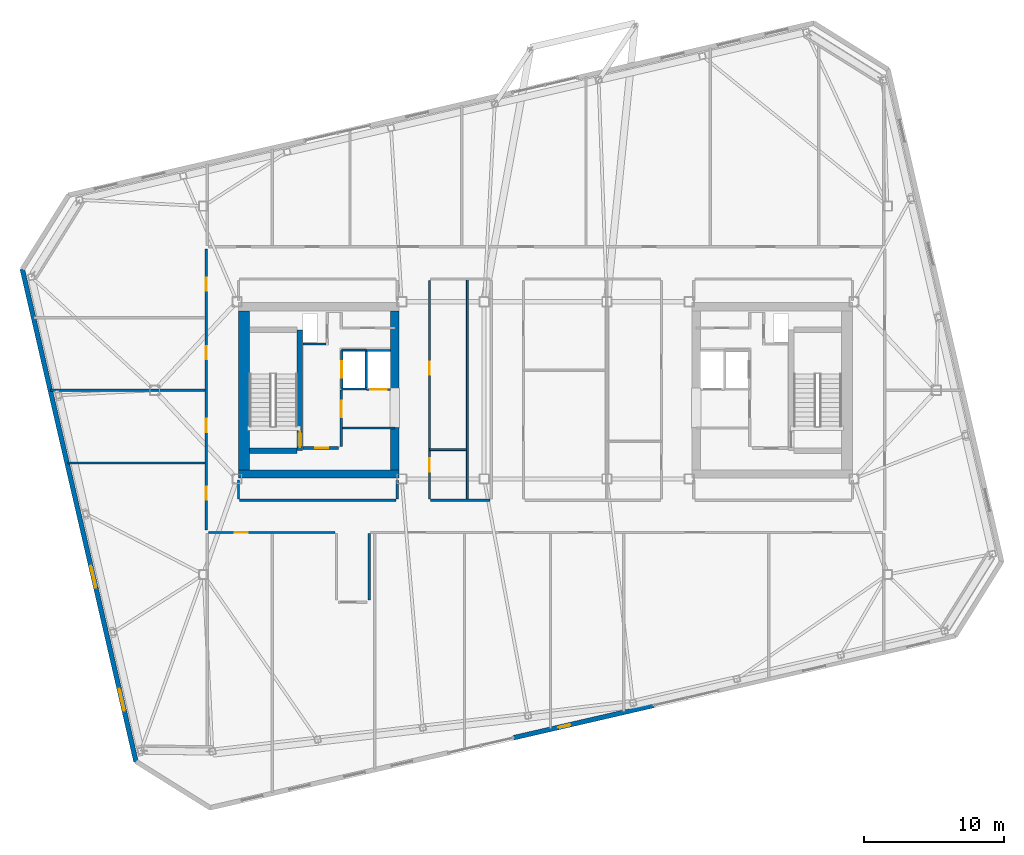
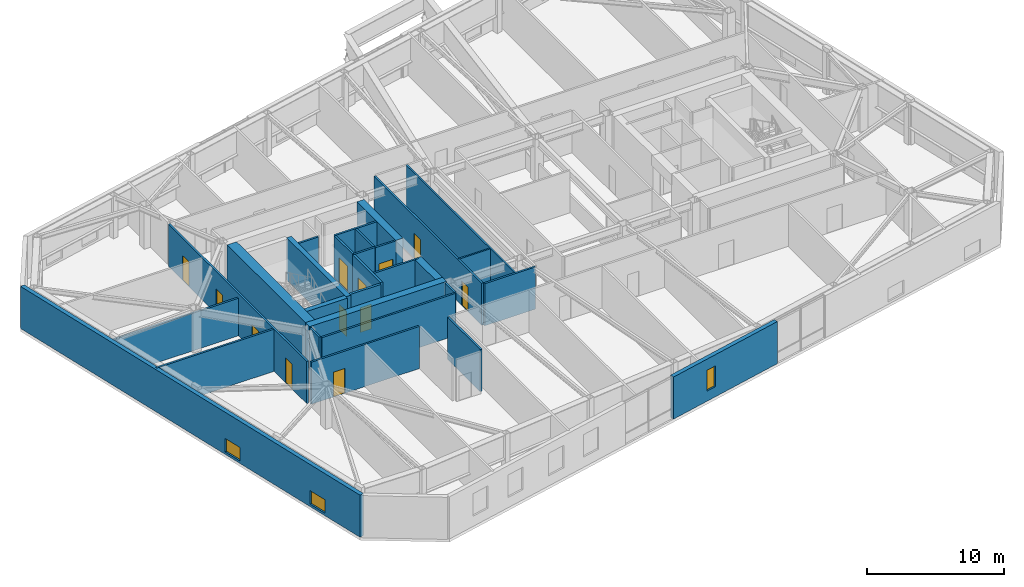
# One storey, part 16 of 23: 30 walls, 12 doors, 3 windows, 15 openings.
"""IFC4 building model written with IfcOpenShell, lengths in metres."""

from ifc_helpers import new_model, si_unit, direction, frame, frame_2d, origin, place, context, subcontext, project, spatial, rectangle, extrude, material, layer, layer_set, type_object, element, fill, save


model = new_model("IFC4")

# Units and contexts
model_context = context("Model", 3, precision=1e-05, world=origin(), true_north=direction((0.0, 1.0)))
body_context = subcontext(model_context, "Body", "Model", "MODEL_VIEW")
ifc_project = project(units=[si_unit("LENGTHUNIT", "METRE"), si_unit("AREAUNIT", "SQUARE_METRE"), si_unit("VOLUMEUNIT", "CUBIC_METRE"), si_unit("PLANEANGLEUNIT", "RADIAN"), si_unit("MASSUNIT", "GRAM", prefix="KILO")], contexts=[model_context])

# Site, building, storey
site_placement = place(None, origin())
site = spatial("IfcSite", under=ifc_project, at=site_placement, CompositionType="ELEMENT")
building_placement = place(site_placement, origin())
building = spatial("IfcBuilding", under=site, at=building_placement, Name="Tavrogorsk Clinical Tower", CompositionType="ELEMENT")
storey_placement = place(building_placement, frame((0.0, 0.0, 305.0)))
storey = spatial("IfcBuildingStorey", under=building, at=storey_placement, Name="L71", CompositionType="ELEMENT", Elevation=305.0)

# Wall, opening, door
ifc_material_1 = material(Name="Concrete B60", Category="concrete")
ifc_layer_1 = layer(ifc_material_1, 0.199951171875)
ifc_layer_set_1 = layer_set([ifc_layer_1], Name="Concrete B60")
wall_type_1 = type_object("IfcWallType", Name="CoreFireWall_200", PredefinedType="SOLIDWALL", material=ifc_layer_set_1)
wall_1_placement = place(storey_placement, frame((-17.3798828125, -4.139892578125, 0.0), z_axis=(0.0, 0.0, 1.0), x_axis=(1.0, 0.0, 0.0)))
wall_1 = element("IfcWall", 1, at=wall_1_placement, inside=storey, type_object=wall_type_1, Name="L71 Core West South Core Room Fire Wall", PredefinedType="SOLIDWALL", context=body_context, shape_type="SweptSolid", body=[
    extrude(rectangle(XDim=2.554931640625, YDim=0.199951171875, at=frame_2d((1.27734375, 0.0))), origin(), (0.0, 0.0, 1.0), 3.739990234375),
])
opening_1_placement = place(wall_1_placement, frame((0.8798828125, 0.0, 0.0)))
opening_1 = element("IfcOpeningElement", 2, at=opening_1_placement, cuts=wall_1, Name="Opening ID-02", PredefinedType="OPENING", context=body_context, shape_type="SweptSolid", body=[
    extrude(rectangle(XDim=0.949951171875, YDim=2.199951171875, at=frame_2d((0.47509765625, 1.10009765625))), frame((0.0, 0.10986328125, 0.0), z_axis=(0.0, -1.0, 0.0), x_axis=(1.0, 0.0, 0.0)), (0.0, 0.0, 1.0), 0.219970703125),
])
ifc_material_2 = material(Name="Laminated timber leaf on aluminium frame", Category="wood")
door_type_1 = type_object("IfcDoorType", Name="InteriorDoor_ID02_950", OperationType="NOTDEFINED", PredefinedType="DOOR", material=ifc_material_2)
door_1_placement = place(opening_1_placement, origin())
door_1 = element("IfcDoor", 3, at=door_1_placement, inside=storey, type_object=door_type_1, Name="L71 Core West South Core Room Door", OperationType="SINGLE_SWING_RIGHT", OverallHeight=2.199951171875, OverallWidth=0.949951171875, PredefinedType="DOOR", context=body_context, shape_type="SweptSolid", body=[
    extrude(rectangle(XDim=0.949951171875, YDim=2.199951171875, at=frame_2d((0.47509765625, 1.10009765625))), frame((0.0, 0.02490234375, 0.0), z_axis=(0.0, -1.0, 0.0), x_axis=(1.0, 0.0, 0.0)), (0.0, 0.0, 1.0), 0.050048828125),
])
fill(opening_1, door_1)

wall_2_placement = place(storey_placement, frame((-14.639892578125, -4.034912109375, 0.0), z_axis=(0.0, 0.0, 1.0), x_axis=(0.0, 1.0, 0.0)))
wall_2 = element("IfcWall", 4, at=wall_2_placement, inside=storey, type_object=wall_type_1, Name="L71 Core West Firefighting Lobby Fire Wall", PredefinedType="SOLIDWALL", context=body_context, shape_type="SweptSolid", body=[
    extrude(rectangle(XDim=4.074951171875, YDim=0.199951171875, at=frame_2d((2.03759765625, 0.0))), origin(), (0.0, 0.0, 1.0), 3.739990234375),
])
opening_2_placement = place(wall_2_placement, frame((2.090087890625, 0.0, 0.0)))
opening_2 = element("IfcOpeningElement", 5, at=opening_2_placement, cuts=wall_2, Name="Opening FD-01", PredefinedType="OPENING", context=body_context, shape_type="SweptSolid", body=[
    extrude(rectangle(XDim=1.199951171875, YDim=2.199951171875, at=frame_2d((0.60009765625, 1.10009765625))), frame((0.0, 0.10986328125, 0.0), z_axis=(0.0, -1.0, 0.0), x_axis=(1.0, 0.0, 0.0)), (0.0, 0.0, 1.0), 0.219970703125),
])
ifc_material_3 = material(Name="Galvanised steel fire-rated door assembly", Category="steel")
door_type_2 = type_object("IfcDoorType", Name="FireDoor_FD01_1200", OperationType="NOTDEFINED", PredefinedType="DOOR", material=ifc_material_3)
door_2_placement = place(opening_2_placement, origin())
door_2 = element("IfcDoor", 6, at=door_2_placement, inside=storey, type_object=door_type_2, Name="L71 Core West Firefighting Lobby Entry Door", OperationType="SINGLE_SWING_RIGHT", OverallHeight=2.199951171875, OverallWidth=1.199951171875, PredefinedType="DOOR", context=body_context, shape_type="SweptSolid", body=[
    extrude(rectangle(XDim=1.199951171875, YDim=2.199951171875, at=frame_2d((0.60009765625, 1.10009765625))), frame((0.0, 0.02490234375, 0.0), z_axis=(0.0, -1.0, 0.0), x_axis=(1.0, 0.0, 0.0)), (0.0, 0.0, 1.0), 0.050048828125),
])
fill(opening_2, door_2)

# Walls
ifc_material_4 = material(Name="Lightweight concrete blockwork B15", Category="masonry")
ifc_layer_2 = layer(ifc_material_4, 0.139892578125)
ifc_layer_set_2 = layer_set([ifc_layer_2], Name="Lightweight concrete blockwork B15")
wall_type_2 = type_object("IfcWallType", Name="PartitionWall_140", PredefinedType="PARTITIONING", material=ifc_layer_set_2)
wall_3_placement = place(storey_placement, frame((-5.60009765625, -7.864990234375, 0.0), z_axis=(0.0, 0.0, 1.0), x_axis=(0.0, 1.0, 0.0)))
element("IfcWall", 7, at=wall_3_placement, inside=storey, type_object=wall_type_2, Name="L71 Central Spine Partition 1", PredefinedType="PARTITIONING", context=body_context, shape_type="SweptSolid", body=[
    extrude(rectangle(XDim=15.830078125, YDim=0.139892578125, at=frame_2d((7.9150390625, 0.0))), origin(), (0.0, 0.0, 1.0), 3.739990234375),
])
wall_4_placement = place(storey_placement, frame((-8.31494140625, -4.25, 0.0), z_axis=(0.0, 0.0, 1.0), x_axis=(1.0, 0.0, 0.0)))
element("IfcWall", 8, at=wall_4_placement, inside=storey, type_object=wall_type_2, Name="L71 Central Spine Partition 4", PredefinedType="PARTITIONING", context=body_context, shape_type="SweptSolid", body=[
    extrude(rectangle(XDim=2.639892578125, YDim=0.139892578125, at=frame_2d((1.31982421875, 0.0))), origin(), (0.0, 0.0, 1.0), 3.739990234375),
])
ifc_material_5 = material(Name="Lightweight concrete blockwork B15", Category="masonry")
ifc_layer_3 = layer(ifc_material_5, 0.159912109375)
ifc_layer_set_3 = layer_set([ifc_layer_3], Name="Lightweight concrete blockwork B15")
wall_type_3 = type_object("IfcWallType", Name="PartitionWall_160", PredefinedType="PARTITIONING", material=ifc_layer_set_3)
wall_5_placement = place(storey_placement, frame((-14.534912109375, -2.699951171875, 0.0), z_axis=(0.0, 0.0, 1.0), x_axis=(1.0, 0.0, 0.0)))
element("IfcWall", 9, at=wall_5_placement, inside=storey, type_object=wall_type_3, Name="L71 Core West Freed Mid-Bank North Partition", PredefinedType="PARTITIONING", context=body_context, shape_type="SweptSolid", body=[
    extrude(rectangle(XDim=3.73486328125, YDim=0.159912109375, at=frame_2d((1.867431640625, 0.0))), origin(), (0.0, 0.0, 1.0), 3.739990234375),
])

# Wall, openings, doors
wall_6_placement = place(storey_placement, frame((-24.31005859375, -10.014892578125, 0.0), z_axis=(0.0, 0.0, 1.0), x_axis=(0.0, 1.0, 0.0)))
wall_6 = element("IfcWall", 10, at=wall_6_placement, inside=storey, type_object=wall_type_3, Name="L71 Corridor Partition 01", PredefinedType="PARTITIONING", context=body_context, shape_type="SweptSolid", body=[
    extrude(rectangle(XDim=20.1298828125, YDim=0.159912109375, at=frame_2d((10.06494140625, 0.0))), origin(), (0.0, 0.0, 1.0), 3.739990234375),
])
opening_3_placement = place(wall_6_placement, frame((2.169189453125, 0.0, 0.0)))
opening_3 = element("IfcOpeningElement", 11, at=opening_3_placement, cuts=wall_6, Name="Opening ID-02", PredefinedType="OPENING", context=body_context, shape_type="SweptSolid", body=[
    extrude(rectangle(XDim=0.949951171875, YDim=2.199951171875, at=frame_2d((0.47509765625, 1.10009765625))), frame((0.0, 0.08984375, 0.0), z_axis=(0.0, -1.0, 0.0), x_axis=(1.0, 0.0, 0.0)), (0.0, 0.0, 1.0), 0.179931640625),
])
opening_4_placement = place(wall_6_placement, frame((7.02490234375, 0.0, 0.0)))
opening_4 = element("IfcOpeningElement", 12, at=opening_4_placement, cuts=wall_6, Name="Opening ID-02", PredefinedType="OPENING", context=body_context, shape_type="SweptSolid", body=[
    extrude(rectangle(XDim=0.949951171875, YDim=2.199951171875, at=frame_2d((0.47509765625, 1.10009765625))), frame((0.0, 0.08984375, 0.0), z_axis=(0.0, -1.0, 0.0), x_axis=(1.0, 0.0, 0.0)), (0.0, 0.0, 1.0), 0.179931640625),
])
opening_5_placement = place(wall_6_placement, frame((12.22509765625, 0.0, 0.0)))
opening_5 = element("IfcOpeningElement", 13, at=opening_5_placement, cuts=wall_6, Name="Opening ID-02", PredefinedType="OPENING", context=body_context, shape_type="SweptSolid", body=[
    extrude(rectangle(XDim=0.949951171875, YDim=2.199951171875, at=frame_2d((0.47509765625, 1.10009765625))), frame((0.0, 0.08984375, 0.0), z_axis=(0.0, -1.0, 0.0), x_axis=(1.0, 0.0, 0.0)), (0.0, 0.0, 1.0), 0.179931640625),
])
opening_6_placement = place(wall_6_placement, frame((17.130859375, 0.0, 0.0)))
opening_6 = element("IfcOpeningElement", 14, at=opening_6_placement, cuts=wall_6, Name="Opening ID-02", PredefinedType="OPENING", context=body_context, shape_type="SweptSolid", body=[
    extrude(rectangle(XDim=0.949951171875, YDim=2.199951171875, at=frame_2d((0.47509765625, 1.10009765625))), frame((0.0, 0.08984375, 0.0), z_axis=(0.0, -1.0, 0.0), x_axis=(1.0, 0.0, 0.0)), (0.0, 0.0, 1.0), 0.179931640625),
])
door_3_placement = place(opening_3_placement, origin())
door_3 = element("IfcDoor", 15, at=door_3_placement, inside=storey, type_object=door_type_1, Name="L71 W Solarium Day Room & Lounge 1 Door", OperationType="SINGLE_SWING_LEFT", OverallHeight=2.199951171875, OverallWidth=0.949951171875, PredefinedType="DOOR", context=body_context, shape_type="SweptSolid", body=[
    extrude(rectangle(XDim=0.949951171875, YDim=2.199951171875, at=frame_2d((0.47509765625, 1.10009765625))), frame((0.0, 0.02490234375, 0.0), z_axis=(0.0, -1.0, 0.0), x_axis=(1.0, 0.0, 0.0)), (0.0, 0.0, 1.0), 0.050048828125),
])
fill(opening_3, door_3)
door_4_placement = place(opening_4_placement, origin())
door_4 = element("IfcDoor", 16, at=door_4_placement, inside=storey, type_object=door_type_1, Name="L71 W Rehabilitation Therapy Suite 2 Door", OperationType="SINGLE_SWING_RIGHT", OverallHeight=2.199951171875, OverallWidth=0.949951171875, PredefinedType="DOOR", context=body_context, shape_type="SweptSolid", body=[
    extrude(rectangle(XDim=0.949951171875, YDim=2.199951171875, at=frame_2d((0.47509765625, 1.10009765625))), frame((0.0, 0.02490234375, 0.0), z_axis=(0.0, -1.0, 0.0), x_axis=(1.0, 0.0, 0.0)), (0.0, 0.0, 1.0), 0.050048828125),
])
fill(opening_4, door_4)
door_5_placement = place(opening_5_placement, origin())
door_5 = element("IfcDoor", 17, at=door_5_placement, inside=storey, type_object=door_type_1, Name="L71 W Sub-Acute Observation Suite 3 Door", OperationType="SINGLE_SWING_LEFT", OverallHeight=2.199951171875, OverallWidth=0.949951171875, PredefinedType="DOOR", context=body_context, shape_type="SweptSolid", body=[
    extrude(rectangle(XDim=0.949951171875, YDim=2.199951171875, at=frame_2d((0.47509765625, 1.10009765625))), frame((0.0, 0.02490234375, 0.0), z_axis=(0.0, -1.0, 0.0), x_axis=(1.0, 0.0, 0.0)), (0.0, 0.0, 1.0), 0.050048828125),
])
fill(opening_5, door_5)
door_6_placement = place(opening_6_placement, origin())
door_6 = element("IfcDoor", 18, at=door_6_placement, inside=storey, type_object=door_type_1, Name="L71 W Family Consultation Lounge 4 Door", OperationType="SINGLE_SWING_RIGHT", OverallHeight=2.199951171875, OverallWidth=0.949951171875, PredefinedType="DOOR", context=body_context, shape_type="SweptSolid", body=[
    extrude(rectangle(XDim=0.949951171875, YDim=2.199951171875, at=frame_2d((0.47509765625, 1.10009765625))), frame((0.0, 0.02490234375, 0.0), z_axis=(0.0, -1.0, 0.0), x_axis=(1.0, 0.0, 0.0)), (0.0, 0.0, 1.0), 0.050048828125),
])
fill(opening_6, door_6)

# Wall
wall_7_placement = place(storey_placement, frame((-12.6201171875, -10.264892578125, 0.0), z_axis=(0.0, 0.0, 1.0), x_axis=(0.0, -1.0, 0.0)))
element("IfcWall", 19, at=wall_7_placement, inside=storey, type_object=wall_type_3, Name="L71 Corridor Partition 05", PredefinedType="PARTITIONING", context=body_context, shape_type="SweptSolid", body=[
    extrude(rectangle(XDim=4.75, YDim=0.159912109375, at=frame_2d((2.375, 0.0))), origin(), (0.0, 0.0, 1.0), 3.739990234375),
])

# Wall, opening, door
wall_8_placement = place(storey_placement, frame((-15.06494140625, -10.179931640625, 0.0), z_axis=(0.0, 0.0, 1.0), x_axis=(-1.0, 0.0, 0.0)))
wall_8 = element("IfcWall", 20, at=wall_8_placement, inside=storey, type_object=wall_type_3, Name="L71 Corridor Partition 08", PredefinedType="PARTITIONING", context=body_context, shape_type="SweptSolid", body=[
    extrude(rectangle(XDim=9.080078125, YDim=0.159912109375, at=frame_2d((4.5400390625, 0.0))), origin(), (0.0, 0.0, 1.0), 3.739990234375),
])
opening_7_placement = place(wall_8_placement, frame((6.255859375, 0.0, 0.0)))
opening_7 = element("IfcOpeningElement", 21, at=opening_7_placement, cuts=wall_8, Name="Opening ID-02", PredefinedType="OPENING", context=body_context, shape_type="SweptSolid", body=[
    extrude(rectangle(XDim=0.949951171875, YDim=2.199951171875, at=frame_2d((0.47509765625, 1.10009765625))), frame((0.0, 0.08984375, 0.0), z_axis=(0.0, -1.0, 0.0), x_axis=(1.0, 0.0, 0.0)), (0.0, 0.0, 1.0), 0.179931640625),
])
door_7_placement = place(opening_7_placement, origin())
door_7 = element("IfcDoor", 22, at=door_7_placement, inside=storey, type_object=door_type_1, Name="L71 South Soiled Utility & Sluice Room 01 Door", OperationType="SINGLE_SWING_RIGHT", OverallHeight=2.199951171875, OverallWidth=0.949951171875, PredefinedType="DOOR", context=body_context, shape_type="SweptSolid", body=[
    extrude(rectangle(XDim=0.949951171875, YDim=2.199951171875, at=frame_2d((0.47509765625, 1.10009765625))), frame((0.0, 0.02490234375, 0.0), z_axis=(0.0, -1.0, 0.0), x_axis=(1.0, 0.0, 0.0)), (0.0, 0.0, 1.0), 0.050048828125),
])
fill(opening_7, door_7)

# Wall, openings, doors
wall_9_placement = place(storey_placement, frame((-8.320068359375, 7.885009765625, 0.0), z_axis=(0.0, 0.0, 1.0), x_axis=(0.0, -1.0, 0.0)))
wall_9 = element("IfcWall", 23, at=wall_9_placement, inside=storey, type_object=wall_type_3, Name="L71 Corridor Partition 21", PredefinedType="PARTITIONING", context=body_context, shape_type="SweptSolid", body=[
    extrude(rectangle(XDim=15.669921875, YDim=0.159912109375, at=frame_2d((7.8349609375, 0.0))), origin(), (0.0, 0.0, 1.0), 3.739990234375),
])
opening_8_placement = place(wall_9_placement, frame((12.760986328125, 0.0, 0.0)))
opening_8 = element("IfcOpeningElement", 24, at=opening_8_placement, cuts=wall_9, Name="Opening ID-02", PredefinedType="OPENING", context=body_context, shape_type="SweptSolid", body=[
    extrude(rectangle(XDim=0.949951171875, YDim=2.199951171875, at=frame_2d((0.47509765625, 1.10009765625))), frame((0.0, 0.08984375, 0.0), z_axis=(0.0, -1.0, 0.0), x_axis=(1.0, 0.0, 0.0)), (0.0, 0.0, 1.0), 0.179931640625),
])
opening_9_placement = place(wall_9_placement, frame((5.8291015625, 0.0, 0.0)))
opening_9 = element("IfcOpeningElement", 25, at=opening_9_placement, cuts=wall_9, Name="Opening ID-02", PredefinedType="OPENING", context=body_context, shape_type="SweptSolid", body=[
    extrude(rectangle(XDim=0.949951171875, YDim=2.199951171875, at=frame_2d((0.47509765625, 1.10009765625))), frame((0.0, 0.08984375, 0.0), z_axis=(0.0, -1.0, 0.0), x_axis=(1.0, 0.0, 0.0)), (0.0, 0.0, 1.0), 0.179931640625),
])
door_8_placement = place(opening_8_placement, origin())
door_8 = element("IfcDoor", 26, at=door_8_placement, inside=storey, type_object=door_type_1, Name="L71 Accessible Patient Lavatory Door", OperationType="SINGLE_SWING_LEFT", OverallHeight=2.199951171875, OverallWidth=0.949951171875, PredefinedType="DOOR", context=body_context, shape_type="SweptSolid", body=[
    extrude(rectangle(XDim=0.949951171875, YDim=2.199951171875, at=frame_2d((0.47509765625, 1.10009765625))), frame((0.0, 0.02490234375, 0.0), z_axis=(0.0, -1.0, 0.0), x_axis=(1.0, 0.0, 0.0)), (0.0, 0.0, 1.0), 0.050048828125),
])
fill(opening_8, door_8)
door_9_placement = place(opening_9_placement, origin())
door_9 = element("IfcDoor", 27, at=door_9_placement, inside=storey, type_object=door_type_1, Name="L71 Ward Nourishment Pantry Door", OperationType="SINGLE_SWING_RIGHT", OverallHeight=2.199951171875, OverallWidth=0.949951171875, PredefinedType="DOOR", context=body_context, shape_type="SweptSolid", body=[
    extrude(rectangle(XDim=0.949951171875, YDim=2.199951171875, at=frame_2d((0.47509765625, 1.10009765625))), frame((0.0, 0.02490234375, 0.0), z_axis=(0.0, -1.0, 0.0), x_axis=(1.0, 0.0, 0.0)), (0.0, 0.0, 1.0), 0.050048828125),
])
fill(opening_9, door_9)

# Walls
wall_10_placement = place(storey_placement, frame((-8.235107421875, -7.8701171875, 0.0), z_axis=(0.0, 0.0, 1.0), x_axis=(1.0, 0.0, 0.0)))
element("IfcWall", 28, at=wall_10_placement, inside=storey, type_object=wall_type_3, Name="L71 Corridor Partition 22", PredefinedType="PARTITIONING", context=body_context, shape_type="SweptSolid", body=[
    extrude(rectangle(XDim=4.27001953125, YDim=0.159912109375, at=frame_2d((2.135009765625, 0.0))), origin(), (0.0, 0.0, 1.0), 3.739990234375),
])
for number, where, z_axis, x_axis, name in (
    (29, (-10.6298828125, -7.784912109375, 0.0), (0.0, 0.0, 1.0), (0.0, 1.0, 0.0), "L71 Corridor Partition 23"),
    (30, (-22.0, -6.419921875, 0.0), (0.0, 0.0, 1.0), (0.0, -1.0, 0.0), "L71 Corridor Partition 27"),
):
    element("IfcWall", number, at=place(storey_placement, frame(where, z_axis=z_axis, x_axis=x_axis)), inside=storey, type_object=wall_type_3, Name=name, PredefinedType="PARTITIONING", context=body_context, shape_type="SweptSolid", body=[
        extrude(rectangle(XDim=1.364990234375, YDim=0.159912109375, at=frame_2d((0.6826171875, 0.0))), origin(), (0.0, 0.0, 1.0), 3.739990234375),
    ])
wall_11_placement = place(storey_placement, frame((-21.9150390625, -7.8701171875, 0.0), z_axis=(0.0, 0.0, 1.0), x_axis=(1.0, 0.0, 0.0)))
element("IfcWall", 31, at=wall_11_placement, inside=storey, type_object=wall_type_3, Name="L71 Corridor Partition 28", PredefinedType="PARTITIONING", context=body_context, shape_type="SweptSolid", body=[
    extrude(rectangle(XDim=11.199951171875, YDim=0.159912109375, at=frame_2d((5.60009765625, 0.0))), origin(), (0.0, 0.0, 1.0), 3.739990234375),
])
wall_12_placement = place(storey_placement, frame((-34.26171875, -5.199951171875, 0.0), z_axis=(0.0, 0.0, 1.0), x_axis=(1.0, 0.0, 0.0)))
element("IfcWall", 32, at=wall_12_placement, inside=storey, type_object=wall_type_3, Name="L71 W Wing Divider 1", PredefinedType="PARTITIONING", context=body_context, shape_type="SweptSolid", body=[
    extrude(rectangle(XDim=9.86669921875, YDim=0.159912109375, at=frame_2d((4.933349609375, 0.0))), origin(), (0.0, 0.0, 1.0), 3.739990234375),
])
wall_13_placement = place(storey_placement, frame((-35.46240234375, 0.0, 0.0), z_axis=(0.0, 0.0, 1.0), x_axis=(1.0, 0.0, 0.0)))
element("IfcWall", 33, at=wall_13_placement, inside=storey, type_object=wall_type_3, Name="L71 W Wing Divider 2", PredefinedType="PARTITIONING", context=body_context, shape_type="SweptSolid", body=[
    extrude(rectangle(XDim=11.0673828125, YDim=0.159912109375, at=frame_2d((5.53369140625, 0.0))), origin(), (0.0, 0.0, 1.0), 3.3349609375),
])

# Wall, opening, window
ifc_material_6 = material(Name="Precast concrete B45 with limestone cladding", Category="masonry")
ifc_layer_4 = layer(ifc_material_6, 0.340087890625)
ifc_layer_set_4 = layer_set([ifc_layer_4], Name="Precast concrete B45 with limestone cladding")
wall_type_4 = type_object("IfcWallType", Name="PrecastLimestoneWall_340", PredefinedType="STANDARD", material=ifc_layer_set_4)
wall_14_placement = place(storey_placement, frame((-2.294921875, -24.8984375, 0.0), z_axis=(0.0, 0.0, 1.0), x_axis=(0.974370872906, 0.224947553958, 0.0)))
wall_14 = element("IfcWall", 34, at=wall_14_placement, inside=storey, type_object=wall_type_4, Name="L71 S Limestone Facade Wall 2", PredefinedType="STANDARD", context=body_context, shape_type="SweptSolid", body=[
    extrude(rectangle(XDim=10.327880859375, YDim=0.340087890625, at=frame_2d((5.1640625, 0.0))), origin(), (0.0, 0.0, 1.0), 3.739990234375),
])
opening_10_placement = place(wall_14_placement, frame((3.3046875, 0.0, 0.89990234375)))
opening_10 = element("IfcOpeningElement", 35, at=opening_10_placement, cuts=wall_14, Name="Opening WN-06", PredefinedType="OPENING", context=body_context, shape_type="SweptSolid", body=[
    extrude(rectangle(XDim=0.85009765625, YDim=1.85009765625, at=frame_2d((0.425048828125, 0.925048828125))), frame((0.0, 0.179931640625, 0.0), z_axis=(0.0, -1.0, 0.0), x_axis=(1.0, 0.0, 0.0)), (0.0, 0.0, 1.0), 0.360107421875),
])
ifc_material_7 = material(Name="Thermally broken aluminium frame and triple IGU", Category="aluminium")
window_type_1 = type_object("IfcWindowType", Name="MullionSubWin_850x1850", PartitioningType="SINGLE_PANEL", PredefinedType="WINDOW", material=ifc_material_7)
window_1_placement = place(opening_10_placement, origin())
window_1 = element("IfcWindow", 36, at=window_1_placement, inside=storey, type_object=window_type_1, Name="L71 S Mullion Split Window 05B", OverallHeight=1.85009765625, OverallWidth=0.85009765625, PartitioningType="SINGLE_PANEL", PredefinedType="WINDOW", context=body_context, shape_type="SweptSolid", body=[
    extrude(rectangle(XDim=0.85009765625, YDim=1.85009765625, at=frame_2d((0.425048828125, 0.925048828125))), frame((0.0, 0.030029296875, 0.0), z_axis=(0.0, -1.0, 0.0), x_axis=(1.0, 0.0, 0.0)), (0.0, 0.0, 1.0), 0.06005859375),
])
fill(opening_10, window_1)

# Wall, openings, windows
wall_15_placement = place(storey_placement, frame((-37.48583984375, 8.676025390625, 0.0), z_axis=(0.0, 0.0, 1.0), x_axis=(0.224953091034, -0.974369594576, 0.0)))
wall_15 = element("IfcWall", 37, at=wall_15_placement, inside=storey, type_object=wall_type_4, Name="L71 W Pleated Limestone Wing Wall", PredefinedType="STANDARD", context=body_context, shape_type="SweptSolid", body=[
    extrude(rectangle(XDim=36.199951171875, YDim=0.340087890625, at=frame_2d((18.10009765625, 0.0))), origin(), (0.0, 0.0, 1.0), 3.739990234375),
])
opening_11_placement = place(wall_15_placement, frame((21.824951171875, 0.0, 0.219970703125)))
opening_11 = element("IfcOpeningElement", 38, at=opening_11_placement, cuts=wall_15, Name="Opening WN-09", PredefinedType="OPENING", context=body_context, shape_type="SweptSolid", body=[
    extrude(rectangle(XDim=1.60009765625, YDim=1.199951171875, at=frame_2d((0.800048828125, 0.60009765625))), frame((0.0, 0.179931640625, 0.0), z_axis=(0.0, -1.0, 0.0), x_axis=(1.0, 0.0, 0.0)), (0.0, 0.0, 1.0), 0.360107421875),
])
opening_12_placement = place(wall_15_placement, frame((30.875, 0.0, 0.219970703125)))
opening_12 = element("IfcOpeningElement", 39, at=opening_12_placement, cuts=wall_15, Name="Opening WN-09", PredefinedType="OPENING", context=body_context, shape_type="SweptSolid", body=[
    extrude(rectangle(XDim=1.60009765625, YDim=1.199951171875, at=frame_2d((0.800048828125, 0.60009765625))), frame((0.0, 0.179931640625, 0.0), z_axis=(0.0, -1.0, 0.0), x_axis=(1.0, 0.0, 0.0)), (0.0, 0.0, 1.0), 0.360107421875),
])
ifc_material_8 = material(Name="Thermally broken aluminium frame and triple IGU", Category="aluminium")
window_type_2 = type_object("IfcWindowType", Name="LowHeadTransWin_1600x1200", PartitioningType="DOUBLE_PANEL_VERTICAL", PredefinedType="WINDOW", material=ifc_material_8)
window_2_placement = place(opening_11_placement, origin())
window_2 = element("IfcWindow", 40, at=window_2_placement, inside=storey, type_object=window_type_2, Name="L71 W Pleat Slot Window 3", OverallHeight=1.199951171875, OverallWidth=1.60009765625, PartitioningType="SINGLE_PANEL", PredefinedType="WINDOW", context=body_context, shape_type="SweptSolid", body=[
    extrude(rectangle(XDim=1.60009765625, YDim=1.199951171875, at=frame_2d((0.800048828125, 0.60009765625))), frame((0.0, 0.030029296875, 0.0), z_axis=(0.0, -1.0, 0.0), x_axis=(1.0, 0.0, 0.0)), (0.0, 0.0, 1.0), 0.06005859375),
])
fill(opening_11, window_2)
window_3_placement = place(opening_12_placement, origin())
window_3 = element("IfcWindow", 41, at=window_3_placement, inside=storey, type_object=window_type_2, Name="L71 W Pleat Slot Window 4", OverallHeight=1.199951171875, OverallWidth=1.60009765625, PartitioningType="SINGLE_PANEL", PredefinedType="WINDOW", context=body_context, shape_type="SweptSolid", body=[
    extrude(rectangle(XDim=1.60009765625, YDim=1.199951171875, at=frame_2d((0.800048828125, 0.60009765625))), frame((0.0, 0.030029296875, 0.0), z_axis=(0.0, -1.0, 0.0), x_axis=(1.0, 0.0, 0.0)), (0.0, 0.0, 1.0), 0.06005859375),
])
fill(opening_12, window_3)

# Wall, opening, door
ifc_material_9 = material(Name="Lightweight concrete blockwork B25", Category="masonry")
ifc_layer_5 = layer(ifc_material_9, 0.159912109375)
ifc_layer_set_5 = layer_set([ifc_layer_5], Name="Lightweight concrete blockwork B25")
wall_type_5 = type_object("IfcWallType", Name="ShaftWall_160", PredefinedType="PARTITIONING", material=ifc_layer_set_5)
wall_16_placement = place(storey_placement, frame((-14.60009765625, 0.1201171875, 0.0), z_axis=(0.0, 0.0, 1.0), x_axis=(0.0, 1.0, 0.0)))
wall_16 = element("IfcWall", 42, at=wall_16_placement, inside=storey, type_object=wall_type_5, Name="L71 FFL-W Firefighting Lift Front Wall", PredefinedType="PARTITIONING", context=body_context, shape_type="SweptSolid", body=[
    extrude(rectangle(XDim=2.739990234375, YDim=0.159912109375, at=frame_2d((1.3701171875, 0.0))), origin(), (0.0, 0.0, 1.0), 3.739990234375),
])
opening_13_placement = place(wall_16_placement, frame((0.77001953125, 0.0, 0.0)))
opening_13 = element("IfcOpeningElement", 43, at=opening_13_placement, cuts=wall_16, Name="Opening LD", PredefinedType="OPENING", context=body_context, shape_type="SweptSolid", body=[
    extrude(rectangle(XDim=1.199951171875, YDim=2.199951171875, at=frame_2d((0.60009765625, 1.10009765625))), frame((0.0, 0.08984375, 0.0), z_axis=(0.0, -1.0, 0.0), x_axis=(1.0, 0.0, 0.0)), (0.0, 0.0, 1.0), 0.179931640625),
])
ifc_material_10 = material(Name="Brushed stainless steel AISI 304 sliding doors", Category="steel")
door_type_3 = type_object("IfcDoorType", Name="LiftLandingDoor_LD_1200", OperationType="SLIDING_TO_LEFT", PredefinedType="DOOR", material=ifc_material_10)
door_10_placement = place(opening_13_placement, origin())
door_10 = element("IfcDoor", 44, at=door_10_placement, inside=storey, type_object=door_type_3, Name="L71 FFL-W Sliding Lift Landing Door", OperationType="SLIDING_TO_LEFT", OverallHeight=2.199951171875, OverallWidth=1.199951171875, PredefinedType="DOOR", context=body_context, shape_type="SweptSolid", body=[
    extrude(rectangle(XDim=1.199951171875, YDim=2.199951171875, at=frame_2d((0.60009765625, 1.10009765625))), frame((0.0, 0.02490234375, 0.0), z_axis=(0.0, -1.0, 0.0), x_axis=(1.0, 0.0, 0.0)), (0.0, 0.0, 1.0), 0.050048828125),
])
fill(opening_13, door_10)

# Walls
for number, where, z_axis, x_axis, name in (
    (45, (-14.60009765625, 0.10009765625, 0.0), (0.0, 0.0, 1.0), (1.0, 0.0, 0.0), "L71 FFL-W Shaft South Wall"),
    (46, (-14.60009765625, 2.8798828125, 0.0), (0.0, 0.0, 1.0), (1.0, 0.0, 0.0), "L71 FFL-W Shaft North Wall"),
):
    element("IfcWall", number, at=place(storey_placement, frame(where, z_axis=z_axis, x_axis=x_axis)), inside=storey, type_object=wall_type_5, Name=name, PredefinedType="PARTITIONING", context=body_context, shape_type="SweptSolid", body=[
        extrude(rectangle(XDim=1.760009765625, YDim=0.159912109375, at=frame_2d((0.8798828125, 0.0))), origin(), (0.0, 0.0, 1.0), 3.739990234375),
    ])
wall_17_placement = place(storey_placement, frame((-12.840087890625, 0.179931640625, 0.0), z_axis=(0.0, 0.0, 1.0), x_axis=(0.0, 1.0, 0.0)))
element("IfcWall", 47, at=wall_17_placement, inside=storey, type_object=wall_type_5, Name="L71 FFL-W Shaft Back Wall", PredefinedType="PARTITIONING", context=body_context, shape_type="SweptSolid", body=[
    extrude(rectangle(XDim=2.6201171875, YDim=0.159912109375, at=frame_2d((1.31005859375, 0.0))), origin(), (0.0, 0.0, 1.0), 3.739990234375),
])

# Wall, opening, door
wall_18_placement = place(storey_placement, frame((-12.820068359375, 0.06005859375, 0.0), z_axis=(0.0, 0.0, 1.0), x_axis=(1.0, 0.0, 0.0)))
wall_18 = element("IfcWall", 48, at=wall_18_placement, inside=storey, type_object=wall_type_5, Name="L71 LP-H1 High-Zone Lift Portal Wall", PredefinedType="PARTITIONING", context=body_context, shape_type="SweptSolid", body=[
    extrude(rectangle(XDim=1.719970703125, YDim=0.159912109375, at=frame_2d((0.85986328125, 0.0))), origin(), (0.0, 0.0, 1.0), 3.739990234375),
])
opening_14_placement = place(wall_18_placement, frame((0.260009765625, 0.0, 0.0)))
opening_14 = element("IfcOpeningElement", 49, at=opening_14_placement, cuts=wall_18, Name="Opening LD", PredefinedType="OPENING", context=body_context, shape_type="SweptSolid", body=[
    extrude(rectangle(XDim=1.199951171875, YDim=2.199951171875, at=frame_2d((0.60009765625, 1.10009765625))), frame((0.0, 0.08984375, 0.0), z_axis=(0.0, -1.0, 0.0), x_axis=(1.0, 0.0, 0.0)), (0.0, 0.0, 1.0), 0.179931640625),
])
door_11_placement = place(opening_14_placement, origin())
door_11 = element("IfcDoor", 50, at=door_11_placement, inside=storey, type_object=door_type_3, Name="L71 LP-H1 Sliding Lift Landing Door", OperationType="SLIDING_TO_LEFT", OverallHeight=2.199951171875, OverallWidth=1.199951171875, PredefinedType="DOOR", context=body_context, shape_type="SweptSolid", body=[
    extrude(rectangle(XDim=1.199951171875, YDim=2.199951171875, at=frame_2d((0.60009765625, 1.10009765625))), frame((0.0, 0.02490234375, 0.0), z_axis=(0.0, -1.0, 0.0), x_axis=(1.0, 0.0, 0.0)), (0.0, 0.0, 1.0), 0.050048828125),
])
fill(opening_14, door_11)

# Walls
wall_19_placement = place(storey_placement, frame((-12.820068359375, 2.860107421875, 0.0), z_axis=(0.0, 0.0, 1.0), x_axis=(1.0, 0.0, 0.0)))
element("IfcWall", 51, at=wall_19_placement, inside=storey, type_object=wall_type_5, Name="L71 LP-H1 High-Zone Lift Rear Wall", PredefinedType="PARTITIONING", context=body_context, shape_type="SweptSolid", body=[
    extrude(rectangle(XDim=1.719970703125, YDim=0.159912109375, at=frame_2d((0.85986328125, 0.0))), origin(), (0.0, 0.0, 1.0), 3.739990234375),
])
wall_20_placement = place(storey_placement, frame((-17.3798828125, 3.320068359375, 0.0), z_axis=(0.0, 0.0, 1.0), x_axis=(1.0, 0.0, 0.0)))
element("IfcWall", 52, at=wall_20_placement, inside=storey, type_object=wall_type_5, Name="L71 Core West Riser South Wall", PredefinedType="PARTITIONING", context=body_context, shape_type="SweptSolid", body=[
    extrude(rectangle(XDim=1.65478515625, YDim=0.159912109375, at=frame_2d((0.827392578125, 0.0))), origin(), (0.0, 0.0, 1.0), 3.739990234375),
])

# Wall, opening, door
ifc_material_11 = material(Name="Concrete B80", Category="concrete")
ifc_layer_6 = layer(ifc_material_11, 0.39990234375)
ifc_layer_set_6 = layer_set([ifc_layer_6], Name="Concrete B80")
wall_type_6 = type_object("IfcWallType", Name="ShearWall_400", PredefinedType="SHEAR", material=ifc_layer_set_6)
wall_21_placement = place(storey_placement, frame((-17.60009765625, -4.324951171875, 0.0), z_axis=(0.0, 0.0, 1.0), x_axis=(0.0, 1.0, 0.0)))
wall_21 = element("IfcWall", 53, at=wall_21_placement, inside=storey, type_object=wall_type_6, Name="L71 Core West Stair Shaft Inner Shear Wall", PredefinedType="SHEAR", context=body_context, shape_type="SweptSolid", body=[
    extrude(rectangle(XDim=8.64990234375, YDim=0.39990234375, at=frame_2d((4.324951171875, 0.0))), origin(), (0.0, 0.0, 1.0), 3.739990234375),
])
opening_15_placement = place(wall_21_placement, frame((0.25, 0.0, 0.0)))
opening_15 = element("IfcOpeningElement", 54, at=opening_15_placement, cuts=wall_21, Name="Opening SD-01", PredefinedType="OPENING", context=body_context, shape_type="SweptSolid", body=[
    extrude(rectangle(XDim=1.10009765625, YDim=2.199951171875, at=frame_2d((0.550048828125, 1.10009765625))), frame((0.0, 0.2099609375, 0.0), z_axis=(0.0, -1.0, 0.0), x_axis=(1.0, 0.0, 0.0)), (0.0, 0.0, 1.0), 0.419921875),
])
ifc_material_12 = material(Name="Galvanised steel smoke-tight fire door assembly", Category="steel")
door_type_4 = type_object("IfcDoorType", Name="StairFireDoor_SD01_1100", OperationType="NOTDEFINED", PredefinedType="DOOR", material=ifc_material_12)
door_12_placement = place(opening_15_placement, origin())
door_12 = element("IfcDoor", 55, at=door_12_placement, inside=storey, type_object=door_type_4, Name="L71 ST-W Exit Stair Door", OperationType="SINGLE_SWING_RIGHT", OverallHeight=2.199951171875, OverallWidth=1.10009765625, PredefinedType="DOOR", context=body_context, shape_type="SweptSolid", body=[
    extrude(rectangle(XDim=1.10009765625, YDim=2.199951171875, at=frame_2d((0.550048828125, 1.10009765625))), frame((0.0, 0.02490234375, 0.0), z_axis=(0.0, -1.0, 0.0), x_axis=(1.0, 0.0, 0.0)), (0.0, 0.0, 1.0), 0.050048828125),
])
fill(opening_15, door_12)

# Walls
wall_22_placement = place(storey_placement, frame((-21.199951171875, -4.324951171875, 0.0), z_axis=(0.0, 0.0, 1.0), x_axis=(1.0, 0.0, 0.0)))
element("IfcWall", 56, at=wall_22_placement, inside=storey, type_object=wall_type_6, Name="L71 Core West Stair Shaft South Shear Wall", PredefinedType="SHEAR", context=body_context, shape_type="SweptSolid", body=[
    extrude(rectangle(XDim=3.39990234375, YDim=0.39990234375, at=frame_2d((1.699951171875, 0.0))), origin(), (0.0, 0.0, 1.0), 3.739990234375),
])
ifc_material_13 = material(Name="Concrete B80", Category="concrete")
ifc_layer_7 = layer(ifc_material_13, 0.60009765625)
ifc_layer_set_7 = layer_set([ifc_layer_7], Name="Concrete B80")
wall_type_7 = type_object("IfcWallType", Name="ShearWall_600", PredefinedType="SHEAR", material=ifc_layer_set_7)
wall_23_placement = place(storey_placement, frame((-22.0, -6.0, 0.0), z_axis=(0.0, 0.0, 1.0), x_axis=(1.0, 0.0, 0.0)))
element("IfcWall", 57, at=wall_23_placement, inside=storey, type_object=wall_type_7, Name="L71 Core West South Shear Wall", PredefinedType="SHEAR", context=body_context, shape_type="SweptSolid", body=[
    extrude(rectangle(XDim=11.5, YDim=0.60009765625, at=frame_2d((5.75, 0.0))), origin(), (0.0, 0.0, 1.0), 3.739990234375),
])
wall_24_placement = place(storey_placement, frame((-10.800048828125, -5.699951171875, 0.0), z_axis=(0.0, 0.0, 1.0), x_axis=(0.0, 1.0, 0.0)))
element("IfcWall", 58, at=wall_24_placement, inside=storey, type_object=wall_type_7, Name="L71 Core West Inner South Pier", PredefinedType="SHEAR", context=body_context, shape_type="SweptSolid", body=[
    extrude(rectangle(XDim=3.050048828125, YDim=0.60009765625, at=frame_2d((1.52490234375, 0.0))), origin(), (0.0, 0.0, 1.0), 3.739990234375),
])
wall_25_placement = place(storey_placement, frame((-10.800048828125, 0.050048828125, 0.0), z_axis=(0.0, 0.0, 1.0), x_axis=(0.0, 1.0, 0.0)))
element("IfcWall", 59, at=wall_25_placement, inside=storey, type_object=wall_type_7, Name="L71 Core West Inner North Pier", PredefinedType="SHEAR", context=body_context, shape_type="SweptSolid", body=[
    extrude(rectangle(XDim=5.64990234375, YDim=0.60009765625, at=frame_2d((2.824951171875, 0.0))), origin(), (0.0, 0.0, 1.0), 3.739990234375),
])
ifc_material_14 = material(Name="Concrete B80", Category="concrete")
ifc_layer_8 = layer(ifc_material_14, 0.800048828125)
ifc_layer_set_8 = layer_set([ifc_layer_8], Name="Concrete B80")
wall_type_8 = type_object("IfcWallType", Name="ShearWall_800", PredefinedType="SHEAR", material=ifc_layer_set_8)
wall_26_placement = place(storey_placement, frame((-21.60009765625, -5.699951171875, 0.0), z_axis=(0.0, 0.0, 1.0), x_axis=(0.0, 1.0, 0.0)))
element("IfcWall", 60, at=wall_26_placement, inside=storey, type_object=wall_type_8, Name="L71 Core West End Shear Wall", PredefinedType="SHEAR", context=body_context, shape_type="SweptSolid", body=[
    extrude(rectangle(XDim=11.39990234375, YDim=0.800048828125, at=frame_2d((5.699951171875, 0.0))), origin(), (0.0, 0.0, 1.0), 3.739990234375),
])

save(model, "model.ifc")
